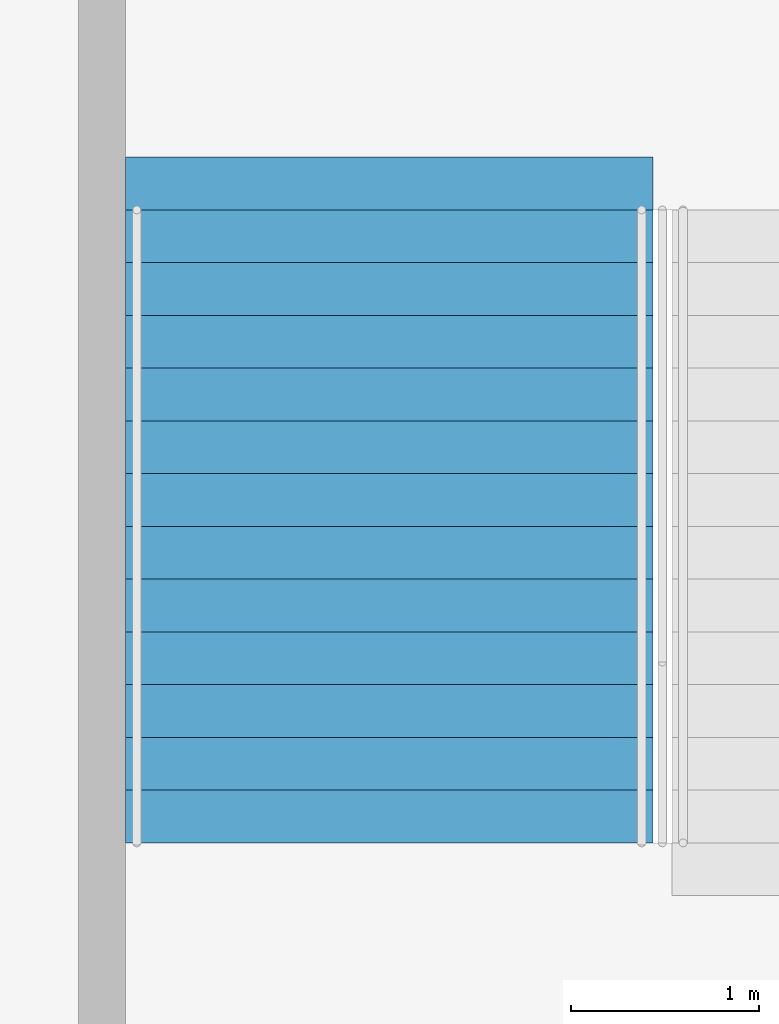
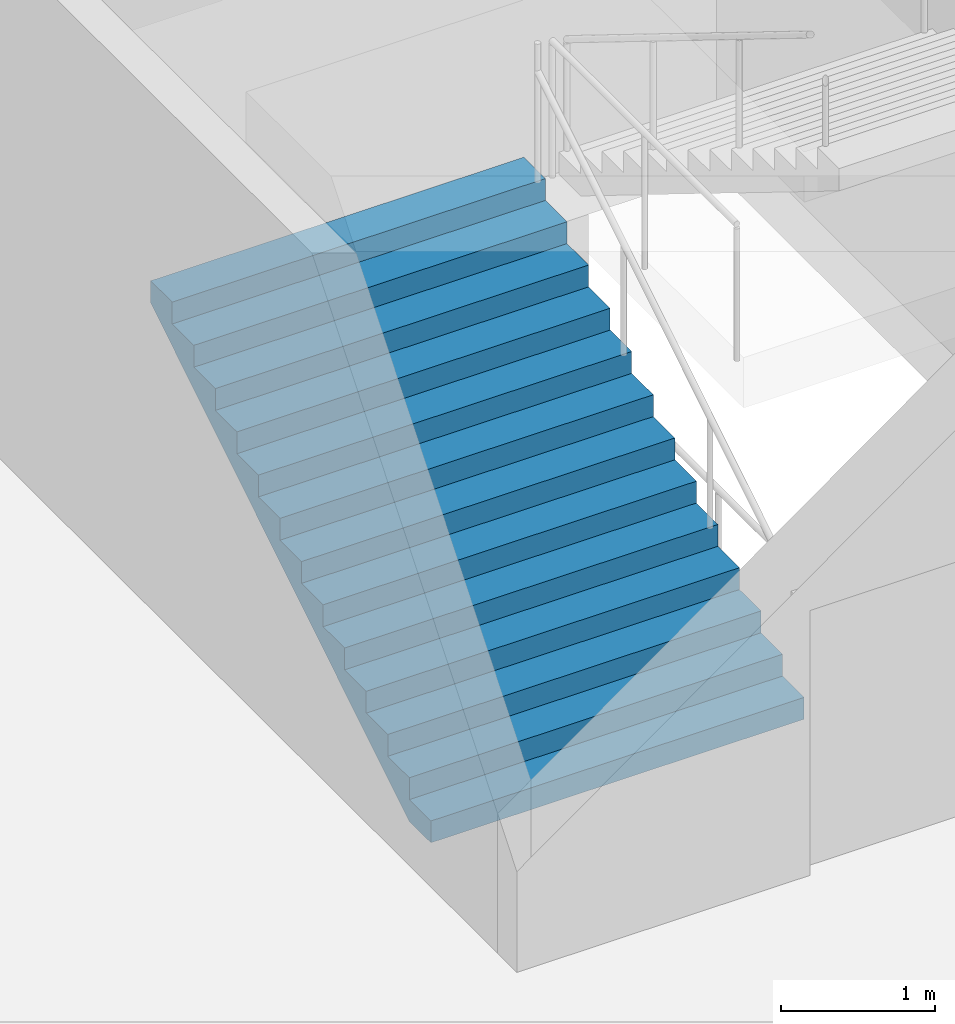
# One storey, part 159 of 199: 1 stair flight, 1 element without a shape of its own.
"""IFC4 building model written with IfcOpenShell, lengths in metres."""

from ifc_helpers import new_model, si_unit, direction, frame, origin, place, context, subcontext, project, spatial, faceted_brep, material, type_object, element, aggregate, save


model = new_model("IFC4")

# Units and contexts
model_context = context("Model", 3, precision=1e-05, world=origin(), true_north=direction((0.0, 1.0)))
body_context = subcontext(model_context, "Body", "Model", "MODEL_VIEW")
ifc_project = project(units=[si_unit("LENGTHUNIT", "METRE"), si_unit("AREAUNIT", "SQUARE_METRE"), si_unit("VOLUMEUNIT", "CUBIC_METRE"), si_unit("PLANEANGLEUNIT", "RADIAN"), si_unit("MASSUNIT", "GRAM", prefix="KILO")], contexts=[model_context])

# Site, building, storey
site_placement = place(None, origin())
site = spatial("IfcSite", under=ifc_project, at=site_placement, CompositionType="ELEMENT")
building_placement = place(site_placement, origin())
building = spatial("IfcBuilding", under=site, at=building_placement, Name="Ogive Plaza Stadium", CompositionType="ELEMENT")
storey_placement = place(building_placement, frame((0.0, 0.0, 9.0)))
storey = spatial("IfcBuildingStorey", under=building, at=storey_placement, Name="L02", CompositionType="ELEMENT", Elevation=9.0)

# Stair, stair flight
ifc_material_1 = material(Name="Concrete C40/50", Category="concrete")
stair_type = type_object("IfcStairType", Name="Exit stair", PredefinedType="STRAIGHT_RUN_STAIR", material=ifc_material_1)
stair_placement = place(storey_placement, origin())
stair = element("IfcStair", 1, at=stair_placement, inside=storey, type_object=stair_type, Name="Exit stair ST32B L02 to L03", PredefinedType="STRAIGHT_RUN_STAIR")
ifc_material_2 = material(Name="Concrete C40/50", Category="concrete")
stair_flight_type = type_object("IfcStairFlightType", Name="Exit stair flight", PredefinedType="STRAIGHT", material=ifc_material_2)
stair_flight_placement = place(storey_placement, frame((-38.425048828125, 94.85009765625, 0.0), z_axis=(0.0, 0.0, 1.0), x_axis=(0.0, 1.0, 0.0)))
stair_flight = element("IfcStairFlight", 2, at=stair_flight_placement, type_object=stair_flight_type, Name="ST32B flight 1", NumberOfRisers=13, NumberOfTreads=12, PredefinedType="STRAIGHT", RiserHeight=0.173076923, TreadLength=0.28, context=body_context, shape_type="Brep", body=[
    faceted_brep([(0.28515625, -1.39990234375, 0.0), (3.639892578125, -1.39990234375, 2.07373046875), (3.639892578125, -1.39990234375, 2.25), (3.360107421875, -1.39990234375, 2.25), (3.360107421875, -1.39990234375, 2.076904296875), (3.080078125, -1.39990234375, 2.076904296875), (3.080078125, -1.39990234375, 1.90380859375), (2.800048828125, -1.39990234375, 1.90380859375), (2.800048828125, -1.39990234375, 1.730712890625), (2.52001953125, -1.39990234375, 1.730712890625), (2.52001953125, -1.39990234375, 1.5576171875), (2.239990234375, -1.39990234375, 1.5576171875), (2.239990234375, -1.39990234375, 1.384521484375), (1.9599609375, -1.39990234375, 1.384521484375), (1.9599609375, -1.39990234375, 1.21142578125), (1.679931640625, -1.39990234375, 1.21142578125), (1.679931640625, -1.39990234375, 1.03857421875), (1.39990234375, -1.39990234375, 1.03857421875), (1.39990234375, -1.39990234375, 0.865478515625), (1.1201171875, -1.39990234375, 0.865478515625), (1.1201171875, -1.39990234375, 0.6923828125), (0.840087890625, -1.39990234375, 0.6923828125), (0.840087890625, -1.39990234375, 0.519287109375), (0.56005859375, -1.39990234375, 0.519287109375), (0.56005859375, -1.39990234375, 0.34619140625), (0.280029296875, -1.39990234375, 0.34619140625), (0.280029296875, -1.39990234375, 0.173095703125), (0.0, -1.39990234375, 0.173095703125), (0.0, -1.39990234375, 0.0), (0.0, 1.39990234375, 0.0), (0.0, 1.39990234375, 0.173095703125), (0.280029296875, 1.39990234375, 0.173095703125), (0.280029296875, 1.39990234375, 0.34619140625), (0.56005859375, 1.39990234375, 0.34619140625), (0.56005859375, 1.39990234375, 0.519287109375), (0.840087890625, 1.39990234375, 0.519287109375), (0.840087890625, 1.39990234375, 0.6923828125), (1.1201171875, 1.39990234375, 0.6923828125), (1.1201171875, 1.39990234375, 0.865478515625), (1.39990234375, 1.39990234375, 0.865478515625), (1.39990234375, 1.39990234375, 1.03857421875), (1.679931640625, 1.39990234375, 1.03857421875), (1.679931640625, 1.39990234375, 1.21142578125), (1.9599609375, 1.39990234375, 1.21142578125), (1.9599609375, 1.39990234375, 1.384521484375), (2.239990234375, 1.39990234375, 1.384521484375), (2.239990234375, 1.39990234375, 1.5576171875), (2.52001953125, 1.39990234375, 1.5576171875), (2.52001953125, 1.39990234375, 1.730712890625), (2.800048828125, 1.39990234375, 1.730712890625), (2.800048828125, 1.39990234375, 1.90380859375), (3.080078125, 1.39990234375, 1.90380859375), (3.080078125, 1.39990234375, 2.076904296875), (3.360107421875, 1.39990234375, 2.076904296875), (3.360107421875, 1.39990234375, 2.25), (3.639892578125, 1.39990234375, 2.25), (3.639892578125, 1.39990234375, 2.07373046875), (0.28515625, 1.39990234375, 0.0), (0.28515625, -1.0888671875, 0.0), (3.639892578125, -1.0888671875, 2.07373046875), (0.28515625, -0.77783203125, 0.0), (3.639892578125, -0.77783203125, 2.07373046875), (0.28515625, -0.466796875, 0.0), (3.639892578125, -0.466796875, 2.07373046875), (0.28515625, -0.155517578125, 0.0), (3.639892578125, -0.155517578125, 2.07373046875), (0.28515625, 0.155517578125, 0.0), (3.639892578125, 0.155517578125, 2.07373046875), (0.28515625, 0.466796875, 0.0), (3.639892578125, 0.466796875, 2.07373046875), (0.28515625, 0.77783203125, 0.0), (3.639892578125, 0.77783203125, 2.07373046875), (0.28515625, 1.0888671875, 0.0), (3.639892578125, 1.0888671875, 2.07373046875), (3.639892578125, -1.0888671875, 2.25), (3.639892578125, -0.77783203125, 2.25), (3.639892578125, -0.466796875, 2.25), (3.639892578125, -0.155517578125, 2.25), (3.639892578125, 0.155517578125, 2.25), (3.639892578125, 0.466796875, 2.25), (3.639892578125, 0.77783203125, 2.25), (3.639892578125, 1.0888671875, 2.25), (3.360107421875, -1.0888671875, 2.25), (3.360107421875, -0.77783203125, 2.25), (3.360107421875, -0.466796875, 2.25), (3.360107421875, -0.155517578125, 2.25), (3.360107421875, 0.155517578125, 2.25), (3.360107421875, 0.466796875, 2.25), (3.360107421875, 0.77783203125, 2.25), (3.360107421875, 1.0888671875, 2.25), (3.360107421875, -1.0888671875, 2.076904296875), (3.360107421875, -0.77783203125, 2.076904296875), (3.360107421875, -0.466796875, 2.076904296875), (3.360107421875, -0.155517578125, 2.076904296875), (3.360107421875, 0.155517578125, 2.076904296875), (3.360107421875, 0.466796875, 2.076904296875), (3.360107421875, 0.77783203125, 2.076904296875), (3.360107421875, 1.0888671875, 2.076904296875), (3.080078125, -1.0888671875, 2.076904296875), (3.080078125, -0.77783203125, 2.076904296875), (3.080078125, -0.466796875, 2.076904296875), (3.080078125, -0.155517578125, 2.076904296875), (3.080078125, 0.155517578125, 2.076904296875), (3.080078125, 0.466796875, 2.076904296875), (3.080078125, 0.77783203125, 2.076904296875), (3.080078125, 1.0888671875, 2.076904296875), (3.080078125, -1.0888671875, 1.90380859375), (3.080078125, -0.77783203125, 1.90380859375), (3.080078125, -0.466796875, 1.90380859375), (3.080078125, -0.155517578125, 1.90380859375), (3.080078125, 0.155517578125, 1.90380859375), (3.080078125, 0.466796875, 1.90380859375), (3.080078125, 0.77783203125, 1.90380859375), (3.080078125, 1.0888671875, 1.90380859375), (2.800048828125, -1.0888671875, 1.90380859375), (2.800048828125, -0.77783203125, 1.90380859375), (2.800048828125, -0.466796875, 1.90380859375), (2.800048828125, -0.155517578125, 1.90380859375), (2.800048828125, 0.155517578125, 1.90380859375), (2.800048828125, 0.466796875, 1.90380859375), (2.800048828125, 0.77783203125, 1.90380859375), (2.800048828125, 1.0888671875, 1.90380859375), (2.800048828125, -1.0888671875, 1.730712890625), (2.800048828125, -0.77783203125, 1.730712890625), (2.800048828125, -0.466796875, 1.730712890625), (2.800048828125, -0.155517578125, 1.730712890625), (2.800048828125, 0.155517578125, 1.730712890625), (2.800048828125, 0.466796875, 1.730712890625), (2.800048828125, 0.77783203125, 1.730712890625), (2.800048828125, 1.0888671875, 1.730712890625), (2.52001953125, -1.0888671875, 1.730712890625), (2.52001953125, -0.77783203125, 1.730712890625), (2.52001953125, -0.466796875, 1.730712890625), (2.52001953125, -0.155517578125, 1.730712890625), (2.52001953125, 0.155517578125, 1.730712890625), (2.52001953125, 0.466796875, 1.730712890625), (2.52001953125, 0.77783203125, 1.730712890625), (2.52001953125, 1.0888671875, 1.730712890625), (2.52001953125, -1.0888671875, 1.5576171875), (2.52001953125, -0.77783203125, 1.5576171875), (2.52001953125, -0.466796875, 1.5576171875), (2.52001953125, -0.155517578125, 1.5576171875), (2.52001953125, 0.155517578125, 1.5576171875), (2.52001953125, 0.466796875, 1.5576171875), (2.52001953125, 0.77783203125, 1.5576171875), (2.52001953125, 1.0888671875, 1.5576171875), (2.239990234375, -1.0888671875, 1.5576171875), (2.239990234375, -0.77783203125, 1.5576171875), (2.239990234375, -0.466796875, 1.5576171875), (2.239990234375, -0.155517578125, 1.5576171875), (2.239990234375, 0.155517578125, 1.5576171875), (2.239990234375, 0.466796875, 1.5576171875), (2.239990234375, 0.77783203125, 1.5576171875), (2.239990234375, 1.0888671875, 1.5576171875), (2.239990234375, -1.0888671875, 1.384521484375), (2.239990234375, -0.77783203125, 1.384521484375), (2.239990234375, -0.466796875, 1.384521484375), (2.239990234375, -0.155517578125, 1.384521484375), (2.239990234375, 0.155517578125, 1.384521484375), (2.239990234375, 0.466796875, 1.384521484375), (2.239990234375, 0.77783203125, 1.384521484375), (2.239990234375, 1.0888671875, 1.384521484375), (1.9599609375, -1.0888671875, 1.384521484375), (1.9599609375, -0.77783203125, 1.384521484375), (1.9599609375, -0.466796875, 1.384521484375), (1.9599609375, -0.155517578125, 1.384521484375), (1.9599609375, 0.155517578125, 1.384521484375), (1.9599609375, 0.466796875, 1.384521484375), (1.9599609375, 0.77783203125, 1.384521484375), (1.9599609375, 1.0888671875, 1.384521484375), (1.9599609375, -1.0888671875, 1.21142578125), (1.9599609375, -0.77783203125, 1.21142578125), (1.9599609375, -0.466796875, 1.21142578125), (1.9599609375, -0.155517578125, 1.21142578125), (1.9599609375, 0.155517578125, 1.21142578125), (1.9599609375, 0.466796875, 1.21142578125), (1.9599609375, 0.77783203125, 1.21142578125), (1.9599609375, 1.0888671875, 1.21142578125), (1.679931640625, -1.0888671875, 1.21142578125), (1.679931640625, -0.77783203125, 1.21142578125), (1.679931640625, -0.466796875, 1.21142578125), (1.679931640625, -0.155517578125, 1.21142578125), (1.679931640625, 0.155517578125, 1.21142578125), (1.679931640625, 0.466796875, 1.21142578125), (1.679931640625, 0.77783203125, 1.21142578125), (1.679931640625, 1.0888671875, 1.21142578125), (1.679931640625, -1.0888671875, 1.03857421875), (1.679931640625, -0.77783203125, 1.03857421875), (1.679931640625, -0.466796875, 1.03857421875), (1.679931640625, -0.155517578125, 1.03857421875), (1.679931640625, 0.155517578125, 1.03857421875), (1.679931640625, 0.466796875, 1.03857421875), (1.679931640625, 0.77783203125, 1.03857421875), (1.679931640625, 1.0888671875, 1.03857421875), (1.39990234375, -1.0888671875, 1.03857421875), (1.39990234375, -0.77783203125, 1.03857421875), (1.39990234375, -0.466796875, 1.03857421875), (1.39990234375, -0.155517578125, 1.03857421875), (1.39990234375, 0.155517578125, 1.03857421875), (1.39990234375, 0.466796875, 1.03857421875), (1.39990234375, 0.77783203125, 1.03857421875), (1.39990234375, 1.0888671875, 1.03857421875), (1.39990234375, -1.0888671875, 0.865478515625), (1.39990234375, -0.77783203125, 0.865478515625), (1.39990234375, -0.466796875, 0.865478515625), (1.39990234375, -0.155517578125, 0.865478515625), (1.39990234375, 0.155517578125, 0.865478515625), (1.39990234375, 0.466796875, 0.865478515625), (1.39990234375, 0.77783203125, 0.865478515625), (1.39990234375, 1.0888671875, 0.865478515625), (1.1201171875, -1.0888671875, 0.865478515625), (1.1201171875, -0.77783203125, 0.865478515625), (1.1201171875, -0.466796875, 0.865478515625), (1.1201171875, -0.155517578125, 0.865478515625), (1.1201171875, 0.155517578125, 0.865478515625), (1.1201171875, 0.466796875, 0.865478515625), (1.1201171875, 0.77783203125, 0.865478515625), (1.1201171875, 1.0888671875, 0.865478515625), (1.1201171875, -1.0888671875, 0.6923828125), (1.1201171875, -0.77783203125, 0.6923828125), (1.1201171875, -0.466796875, 0.6923828125), (1.1201171875, -0.155517578125, 0.6923828125), (1.1201171875, 0.155517578125, 0.6923828125), (1.1201171875, 0.466796875, 0.6923828125), (1.1201171875, 0.77783203125, 0.6923828125), (1.1201171875, 1.0888671875, 0.6923828125), (0.840087890625, -1.0888671875, 0.6923828125), (0.840087890625, -0.77783203125, 0.6923828125), (0.840087890625, -0.466796875, 0.6923828125), (0.840087890625, -0.155517578125, 0.6923828125), (0.840087890625, 0.155517578125, 0.6923828125), (0.840087890625, 0.466796875, 0.6923828125), (0.840087890625, 0.77783203125, 0.6923828125), (0.840087890625, 1.0888671875, 0.6923828125), (0.840087890625, -1.0888671875, 0.519287109375), (0.840087890625, -0.77783203125, 0.519287109375), (0.840087890625, -0.466796875, 0.519287109375), (0.840087890625, -0.155517578125, 0.519287109375), (0.840087890625, 0.155517578125, 0.519287109375), (0.840087890625, 0.466796875, 0.519287109375), (0.840087890625, 0.77783203125, 0.519287109375), (0.840087890625, 1.0888671875, 0.519287109375), (0.56005859375, -1.0888671875, 0.519287109375), (0.56005859375, -0.77783203125, 0.519287109375), (0.56005859375, -0.466796875, 0.519287109375), (0.56005859375, -0.155517578125, 0.519287109375), (0.56005859375, 0.155517578125, 0.519287109375), (0.56005859375, 0.466796875, 0.519287109375), (0.56005859375, 0.77783203125, 0.519287109375), (0.56005859375, 1.0888671875, 0.519287109375), (0.56005859375, -1.0888671875, 0.34619140625), (0.56005859375, -0.77783203125, 0.34619140625), (0.56005859375, -0.466796875, 0.34619140625), (0.56005859375, -0.155517578125, 0.34619140625), (0.56005859375, 0.155517578125, 0.34619140625), (0.56005859375, 0.466796875, 0.34619140625), (0.56005859375, 0.77783203125, 0.34619140625), (0.56005859375, 1.0888671875, 0.34619140625), (0.280029296875, -1.0888671875, 0.34619140625), (0.280029296875, -0.77783203125, 0.34619140625), (0.280029296875, -0.466796875, 0.34619140625), (0.280029296875, -0.155517578125, 0.34619140625), (0.280029296875, 0.155517578125, 0.34619140625), (0.280029296875, 0.466796875, 0.34619140625), (0.280029296875, 0.77783203125, 0.34619140625), (0.280029296875, 1.0888671875, 0.34619140625), (0.280029296875, -1.0888671875, 0.173095703125), (0.280029296875, -0.77783203125, 0.173095703125), (0.280029296875, -0.466796875, 0.173095703125), (0.280029296875, -0.155517578125, 0.173095703125), (0.280029296875, 0.155517578125, 0.173095703125), (0.280029296875, 0.466796875, 0.173095703125), (0.280029296875, 0.77783203125, 0.173095703125), (0.280029296875, 1.0888671875, 0.173095703125), (0.0, -1.0888671875, 0.173095703125), (0.0, -0.77783203125, 0.173095703125), (0.0, -0.466796875, 0.173095703125), (0.0, -0.155517578125, 0.173095703125), (0.0, 0.155517578125, 0.173095703125), (0.0, 0.466796875, 0.173095703125), (0.0, 0.77783203125, 0.173095703125), (0.0, 1.0888671875, 0.173095703125), (0.0, -1.0888671875, 0.0), (0.0, -0.77783203125, 0.0), (0.0, -0.466796875, 0.0), (0.0, -0.155517578125, 0.0), (0.0, 0.155517578125, 0.0), (0.0, 0.466796875, 0.0), (0.0, 0.77783203125, 0.0), (0.0, 1.0888671875, 0.0)], [[[0, 1, 2, 3, 4, 5, 6, 7, 8, 9, 10, 11, 12, 13, 14, 15, 16, 17, 18, 19, 20, 21, 22, 23, 24, 25, 26, 27, 28]], [[29, 30, 31, 32, 33, 34, 35, 36, 37, 38, 39, 40, 41, 42, 43, 44, 45, 46, 47, 48, 49, 50, 51, 52, 53, 54, 55, 56, 57]], [[0, 58, 59, 1]], [[58, 60, 61, 59]], [[60, 62, 63, 61]], [[62, 64, 65, 63]], [[64, 66, 67, 65]], [[66, 68, 69, 67]], [[68, 70, 71, 69]], [[70, 72, 73, 71]], [[72, 57, 56, 73]], [[1, 59, 74, 2]], [[59, 61, 75, 74]], [[61, 63, 76, 75]], [[63, 65, 77, 76]], [[65, 67, 78, 77]], [[67, 69, 79, 78]], [[69, 71, 80, 79]], [[71, 73, 81, 80]], [[73, 56, 55, 81]], [[2, 74, 82, 3]], [[74, 75, 83, 82]], [[75, 76, 84, 83]], [[76, 77, 85, 84]], [[77, 78, 86, 85]], [[78, 79, 87, 86]], [[79, 80, 88, 87]], [[80, 81, 89, 88]], [[81, 55, 54, 89]], [[3, 82, 90, 4]], [[82, 83, 91, 90]], [[83, 84, 92, 91]], [[84, 85, 93, 92]], [[85, 86, 94, 93]], [[86, 87, 95, 94]], [[87, 88, 96, 95]], [[88, 89, 97, 96]], [[89, 54, 53, 97]], [[4, 90, 98, 5]], [[90, 91, 99, 98]], [[91, 92, 100, 99]], [[92, 93, 101, 100]], [[93, 94, 102, 101]], [[94, 95, 103, 102]], [[95, 96, 104, 103]], [[96, 97, 105, 104]], [[97, 53, 52, 105]], [[5, 98, 106, 6]], [[98, 99, 107, 106]], [[99, 100, 108, 107]], [[100, 101, 109, 108]], [[101, 102, 110, 109]], [[102, 103, 111, 110]], [[103, 104, 112, 111]], [[104, 105, 113, 112]], [[105, 52, 51, 113]], [[6, 106, 114, 7]], [[106, 107, 115, 114]], [[107, 108, 116, 115]], [[108, 109, 117, 116]], [[109, 110, 118, 117]], [[110, 111, 119, 118]], [[111, 112, 120, 119]], [[112, 113, 121, 120]], [[113, 51, 50, 121]], [[7, 114, 122, 8]], [[114, 115, 123, 122]], [[115, 116, 124, 123]], [[116, 117, 125, 124]], [[117, 118, 126, 125]], [[118, 119, 127, 126]], [[119, 120, 128, 127]], [[120, 121, 129, 128]], [[121, 50, 49, 129]], [[8, 122, 130, 9]], [[122, 123, 131, 130]], [[123, 124, 132, 131]], [[124, 125, 133, 132]], [[125, 126, 134, 133]], [[126, 127, 135, 134]], [[127, 128, 136, 135]], [[128, 129, 137, 136]], [[129, 49, 48, 137]], [[9, 130, 138, 10]], [[130, 131, 139, 138]], [[131, 132, 140, 139]], [[132, 133, 141, 140]], [[133, 134, 142, 141]], [[134, 135, 143, 142]], [[135, 136, 144, 143]], [[136, 137, 145, 144]], [[137, 48, 47, 145]], [[10, 138, 146, 11]], [[138, 139, 147, 146]], [[139, 140, 148, 147]], [[140, 141, 149, 148]], [[141, 142, 150, 149]], [[142, 143, 151, 150]], [[143, 144, 152, 151]], [[144, 145, 153, 152]], [[145, 47, 46, 153]], [[11, 146, 154, 12]], [[146, 147, 155, 154]], [[147, 148, 156, 155]], [[148, 149, 157, 156]], [[149, 150, 158, 157]], [[150, 151, 159, 158]], [[151, 152, 160, 159]], [[152, 153, 161, 160]], [[153, 46, 45, 161]], [[12, 154, 162, 13]], [[154, 155, 163, 162]], [[155, 156, 164, 163]], [[156, 157, 165, 164]], [[157, 158, 166, 165]], [[158, 159, 167, 166]], [[159, 160, 168, 167]], [[160, 161, 169, 168]], [[161, 45, 44, 169]], [[13, 162, 170, 14]], [[162, 163, 171, 170]], [[163, 164, 172, 171]], [[164, 165, 173, 172]], [[165, 166, 174, 173]], [[166, 167, 175, 174]], [[167, 168, 176, 175]], [[168, 169, 177, 176]], [[169, 44, 43, 177]], [[14, 170, 178, 15]], [[170, 171, 179, 178]], [[171, 172, 180, 179]], [[172, 173, 181, 180]], [[173, 174, 182, 181]], [[174, 175, 183, 182]], [[175, 176, 184, 183]], [[176, 177, 185, 184]], [[177, 43, 42, 185]], [[15, 178, 186, 16]], [[178, 179, 187, 186]], [[179, 180, 188, 187]], [[180, 181, 189, 188]], [[181, 182, 190, 189]], [[182, 183, 191, 190]], [[183, 184, 192, 191]], [[184, 185, 193, 192]], [[185, 42, 41, 193]], [[16, 186, 194, 17]], [[186, 187, 195, 194]], [[187, 188, 196, 195]], [[188, 189, 197, 196]], [[189, 190, 198, 197]], [[190, 191, 199, 198]], [[191, 192, 200, 199]], [[192, 193, 201, 200]], [[193, 41, 40, 201]], [[17, 194, 202, 18]], [[194, 195, 203, 202]], [[195, 196, 204, 203]], [[196, 197, 205, 204]], [[197, 198, 206, 205]], [[198, 199, 207, 206]], [[199, 200, 208, 207]], [[200, 201, 209, 208]], [[201, 40, 39, 209]], [[18, 202, 210, 19]], [[202, 203, 211, 210]], [[203, 204, 212, 211]], [[204, 205, 213, 212]], [[205, 206, 214, 213]], [[206, 207, 215, 214]], [[207, 208, 216, 215]], [[208, 209, 217, 216]], [[209, 39, 38, 217]], [[19, 210, 218, 20]], [[210, 211, 219, 218]], [[211, 212, 220, 219]], [[212, 213, 221, 220]], [[213, 214, 222, 221]], [[214, 215, 223, 222]], [[215, 216, 224, 223]], [[216, 217, 225, 224]], [[217, 38, 37, 225]], [[20, 218, 226, 21]], [[218, 219, 227, 226]], [[219, 220, 228, 227]], [[220, 221, 229, 228]], [[221, 222, 230, 229]], [[222, 223, 231, 230]], [[223, 224, 232, 231]], [[224, 225, 233, 232]], [[225, 37, 36, 233]], [[21, 226, 234, 22]], [[226, 227, 235, 234]], [[227, 228, 236, 235]], [[228, 229, 237, 236]], [[229, 230, 238, 237]], [[230, 231, 239, 238]], [[231, 232, 240, 239]], [[232, 233, 241, 240]], [[233, 36, 35, 241]], [[22, 234, 242, 23]], [[234, 235, 243, 242]], [[235, 236, 244, 243]], [[236, 237, 245, 244]], [[237, 238, 246, 245]], [[238, 239, 247, 246]], [[239, 240, 248, 247]], [[240, 241, 249, 248]], [[241, 35, 34, 249]], [[23, 242, 250, 24]], [[242, 243, 251, 250]], [[243, 244, 252, 251]], [[244, 245, 253, 252]], [[245, 246, 254, 253]], [[246, 247, 255, 254]], [[247, 248, 256, 255]], [[248, 249, 257, 256]], [[249, 34, 33, 257]], [[24, 250, 258, 25]], [[250, 251, 259, 258]], [[251, 252, 260, 259]], [[252, 253, 261, 260]], [[253, 254, 262, 261]], [[254, 255, 263, 262]], [[255, 256, 264, 263]], [[256, 257, 265, 264]], [[257, 33, 32, 265]], [[25, 258, 266, 26]], [[258, 259, 267, 266]], [[259, 260, 268, 267]], [[260, 261, 269, 268]], [[261, 262, 270, 269]], [[262, 263, 271, 270]], [[263, 264, 272, 271]], [[264, 265, 273, 272]], [[265, 32, 31, 273]], [[26, 266, 274, 27]], [[266, 267, 275, 274]], [[267, 268, 276, 275]], [[268, 269, 277, 276]], [[269, 270, 278, 277]], [[270, 271, 279, 278]], [[271, 272, 280, 279]], [[272, 273, 281, 280]], [[273, 31, 30, 281]], [[27, 274, 282, 28]], [[274, 275, 283, 282]], [[275, 276, 284, 283]], [[276, 277, 285, 284]], [[277, 278, 286, 285]], [[278, 279, 287, 286]], [[279, 280, 288, 287]], [[280, 281, 289, 288]], [[281, 30, 29, 289]], [[28, 282, 58, 0]], [[282, 283, 60, 58]], [[283, 284, 62, 60]], [[284, 285, 64, 62]], [[285, 286, 66, 64]], [[286, 287, 68, 66]], [[287, 288, 70, 68]], [[288, 289, 72, 70]], [[289, 29, 57, 72]]]),
])
aggregate(stair, [stair_flight])

save(model, "model.ifc")
